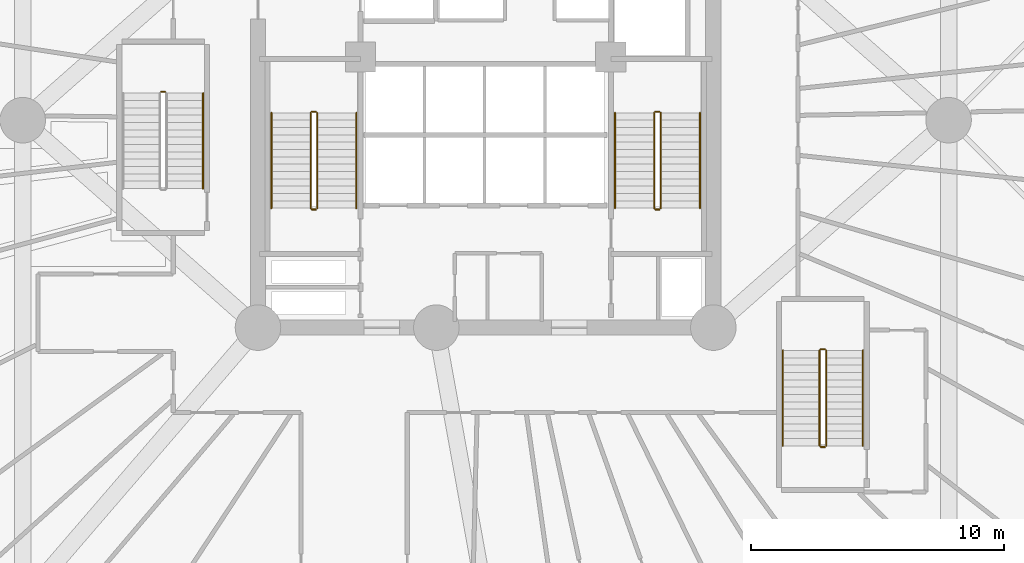
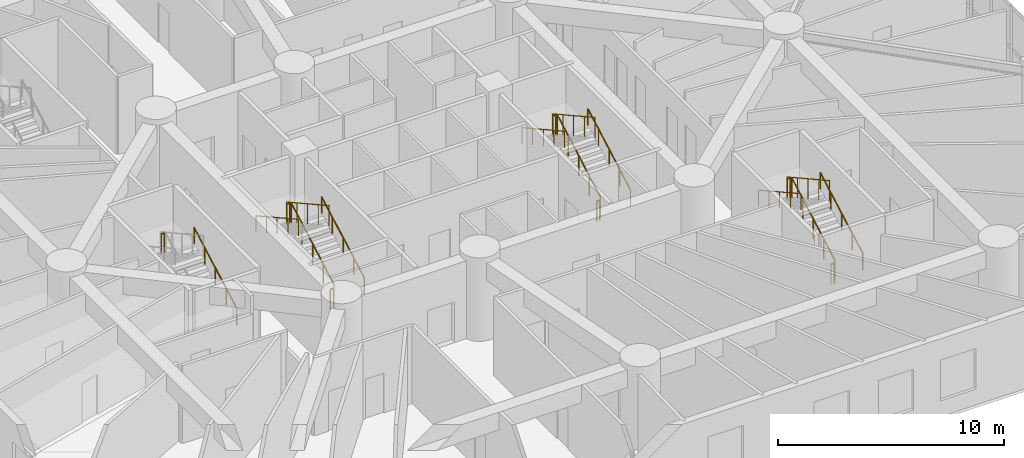
# One storey, part 23 of 26: 20 railings.
"""IFC4 building model written with IfcOpenShell, lengths in metres."""

import ifcopenshell
import ifcopenshell.guid

model = None  # the IFC model being written
_history = None  # IfcOwnerHistory: only IFC2X3 demands one
_inside = {}  # id of a spatial element -> (the spatial element, [elements in it])
_under = {}  # id of a project, library or spatial element -> (it, [spatial elements below it])
_declared = {}  # id of a project -> (the project, [libraries it declares])
_typed = {}  # id of a type object -> (the type object, [elements of that type])
_made_of = {}  # id of a material, layer set ... -> (it, [elements and type objects made of it])


def new_model(schema):
    """Start an empty IFC model of exactly this schema.

    Asked for "IFC4X3", IfcOpenShell would pick the latest addendum, in which some entities
    have other attributes; the version numbers below select the first issue.
    IFC2X3 requires an IfcOwnerHistory on every rooted entity: one is made here for all.
    """
    global model, _history
    if schema == "IFC4X3":
        model = ifcopenshell.file(schema_version=(4, 3, 0, 0))
    else:
        model = ifcopenshell.file(schema=schema)
    _inside.clear()
    _under.clear()
    _declared.clear()
    _typed.clear()
    _made_of.clear()
    _history = None
    if model.schema == "IFC2X3":
        org = make("IfcOrganization", Name="unknown")
        user = make(
            "IfcPersonAndOrganization",
            ThePerson=make("IfcPerson", FamilyName="unknown"),
            TheOrganization=org,
        )
        app = make(
            "IfcApplication",
            ApplicationDeveloper=org,
            Version="unknown",
            ApplicationFullName="unknown",
            ApplicationIdentifier="unknown",
        )
        _history = make(
            "IfcOwnerHistory",
            OwningUser=user,
            OwningApplication=app,
            ChangeAction="ADDED",
            CreationDate=0,
        )
    return model


def make(cls, **values):
    """One entity of the class cls with the attributes given. An attribute that is None is left unset."""
    return model.create_entity(
        cls, **{name: value for name, value in values.items() if value is not None}
    )


def rooted(cls, **values):
    """An entity with a GlobalId (a new one), such as an element, a storey or a relation."""
    return make(cls, GlobalId=ifcopenshell.guid.new(), OwnerHistory=_history, **values)


def si_unit(unit_type, name, prefix=None):
    """IfcSIUnit, for example si_unit("LENGTHUNIT", "METRE", prefix="MILLI")."""
    return make("IfcSIUnit", UnitType=unit_type, Prefix=prefix, Name=name)


def assignment(units):
    """IfcUnitAssignment: the units of a project."""
    return None if units is None else make("IfcUnitAssignment", Units=units)


def point(xyz):
    """IfcCartesianPoint."""
    return None if xyz is None else make("IfcCartesianPoint", Coordinates=xyz)


def direction(xyz):
    """IfcDirection."""
    return None if xyz is None else make("IfcDirection", DirectionRatios=xyz)


def frame(location, z_axis=None, x_axis=None):
    """IfcAxis2Placement3D, a coordinate frame: its origin and axes. An axis left out is left unset."""
    return make(
        "IfcAxis2Placement3D",
        Location=point(location),
        Axis=direction(z_axis),
        RefDirection=direction(x_axis),
    )


def frame_2d(location, x_axis=None):
    """IfcAxis2Placement2D, a coordinate frame in the plane: its origin and x axis."""
    return make(
        "IfcAxis2Placement2D", Location=point(location), RefDirection=direction(x_axis)
    )


def origin():
    """The frame at (0, 0, 0) with its axes left unset."""
    return frame((0.0, 0.0, 0.0))


def origin_2d():
    """The frame at (0, 0) in the plane with its x axis left unset."""
    return frame_2d((0.0, 0.0))


def place(relative_to, where):
    """IfcLocalPlacement: puts the frame where relative to a parent placement (None: the world)."""
    return make(
        "IfcLocalPlacement", PlacementRelTo=relative_to, RelativePlacement=where
    )


def context(
    kind, dimensions, precision=None, world=None, true_north=None, identifier=None
):
    """IfcGeometricRepresentationContext, for example the 3D "Model" context."""
    return make(
        "IfcGeometricRepresentationContext",
        ContextIdentifier=identifier,
        ContextType=kind,
        CoordinateSpaceDimension=dimensions,
        Precision=precision,
        WorldCoordinateSystem=world,
        TrueNorth=true_north,
    )


def subcontext(parent, identifier, kind, view, scale=None):
    """IfcGeometricRepresentationSubContext, for example "Body" below "Model"."""
    return make(
        "IfcGeometricRepresentationSubContext",
        ContextIdentifier=identifier,
        ContextType=kind,
        ParentContext=parent,
        TargetScale=scale,
        TargetView=view,
    )


def project(units=None, contexts=None):
    """IfcProject with its units and contexts."""
    return rooted(
        "IfcProject",
        Name="project",
        RepresentationContexts=contexts,
        UnitsInContext=assignment(units),
    )


def spatial(cls, under=None, at=None, **own):
    """A site, building, storey or space (cls), placed at a placement, below another one or the project."""
    s = rooted(cls, ObjectPlacement=at, **own)
    if under is not None:
        _under.setdefault(under.id(), (under, []))[1].append(s)
    return s


def profile(cls, at=None, kind="AREA", **sizes):
    """A parametric profile (cls). Its sizes go by their IFC names, for example OverallWidth=200.0."""
    return make(cls, ProfileType=kind, Position=at, **sizes)


def circle(**sizes):
    """IfcCircleProfileDef."""
    return profile("IfcCircleProfileDef", **sizes)


def extrude(swept, where, along, depth):
    """IfcExtrudedAreaSolid: the profile swept, set in the frame where, extruded along a direction by depth."""
    return make(
        "IfcExtrudedAreaSolid",
        SweptArea=swept,
        Position=where,
        ExtrudedDirection=direction(along),
        Depth=depth,
    )


def shape(context_of_items, identifier, shape_type, items):
    """IfcShapeRepresentation: the items that make up one representation, for example the "Body"."""
    return make(
        "IfcShapeRepresentation",
        ContextOfItems=context_of_items,
        RepresentationIdentifier=identifier,
        RepresentationType=shape_type,
        Items=items,
    )


def material(Name=None, Category=None):
    """IfcMaterial."""
    return make("IfcMaterial", Name=Name, Category=Category)


def layer(
    of_material, thickness, ventilated=None, Name=None, Category=None, Priority=None
):
    """IfcMaterialLayer: one layer of a wall or slab, of a material (None: an air gap)."""
    return make(
        "IfcMaterialLayer",
        Material=of_material,
        LayerThickness=thickness,
        IsVentilated=ventilated,
        Name=Name,
        Category=Category,
        Priority=Priority,
    )


def layer_set(layers, Name=None):
    """IfcMaterialLayerSet."""
    return make("IfcMaterialLayerSet", MaterialLayers=layers, LayerSetName=Name)


def made_of(thing, what):
    """Note that an element or type object is made of a material, layer set ...; save() writes the relation."""
    if what is not None:
        _made_of.setdefault(what.id(), (what, []))[1].append(thing)
    return thing


def type_object(cls, material=None, **own):
    """A type object (cls), such as IfcWallType, which elements share."""
    return made_of(rooted(cls, **own), material)


def element(
    cls,
    number,
    at=None,
    inside=None,
    cuts=None,
    type_object=None,
    material=None,
    context=None,
    identifier="Body",
    shape_type=None,
    held_by="IfcProductDefinitionShape",
    body=None,
    shapes=None,
    **own,
):
    """One element of the class cls, such as IfcWall. Its Tag is "e" and its number.

    at: its placement. inside: the storey or other place that contains it. cuts: it is an
    opening in that element (IfcRelVoidsElement). A single representation is given by context,
    identifier, shape_type and body (its items); several are given by shapes. held_by: the class
    of the entity that holds the representations. save() writes the other relations.
    """
    e = rooted(cls, Tag="e%d" % number, ObjectPlacement=at, **own)
    if body is not None:
        shapes = [shape(context, identifier, shape_type, body)]
    if shapes is not None:
        e.Representation = make(held_by, Representations=shapes)
    if inside is not None:
        _inside.setdefault(inside.id(), (inside, []))[1].append(e)
    if cuts is not None:
        rooted(
            "IfcRelVoidsElement", RelatingBuildingElement=cuts, RelatedOpeningElement=e
        )
    if type_object is not None:
        _typed.setdefault(type_object.id(), (type_object, []))[1].append(e)
    return made_of(e, material)


def aggregate(whole, parts):
    """IfcRelAggregates: a whole, such as a stair, and the parts it consists of."""
    return rooted("IfcRelAggregates", RelatingObject=whole, RelatedObjects=parts)


def save(model, path):
    """Write the relations noted so far, then the file.

    IfcRelAggregates (storeys below a building ...), IfcRelContainedInSpatialStructure (elements
    in a storey), IfcRelDefinesByType, IfcRelAssociatesMaterial and IfcRelDeclares: one each for
    every whole, place, type object, material and project.
    """
    for whole, parts in _under.values():
        aggregate(whole, parts)
    for where, things in _inside.values():
        rooted(
            "IfcRelContainedInSpatialStructure",
            RelatedElements=things,
            RelatingStructure=where,
        )
    for kind, things in _typed.values():
        rooted("IfcRelDefinesByType", RelatedObjects=things, RelatingType=kind)
    for what, things in _made_of.values():
        rooted("IfcRelAssociatesMaterial", RelatedObjects=things, RelatingMaterial=what)
    for by, libraries in _declared.values():
        rooted("IfcRelDeclares", RelatingContext=by, RelatedDefinitions=libraries)
    model.write(path)


model = new_model("IFC4")

# Units and contexts
model_context = context("Model", 3, precision=1e-05, world=origin(), true_north=direction((0.0, 1.0)))
body_context = subcontext(model_context, "Body", "Model", "MODEL_VIEW")
ifc_project = project(units=[si_unit("LENGTHUNIT", "METRE"), si_unit("AREAUNIT", "SQUARE_METRE"), si_unit("VOLUMEUNIT", "CUBIC_METRE"), si_unit("PLANEANGLEUNIT", "RADIAN"), si_unit("MASSUNIT", "GRAM", prefix="KILO")], contexts=[model_context])

# Site, building, storey
site_placement = place(None, origin())
site = spatial("IfcSite", under=ifc_project, at=site_placement, CompositionType="ELEMENT")
building_placement = place(site_placement, origin())
building = spatial("IfcBuilding", under=site, at=building_placement, Name="Karkom Vertical University and Central Library", CompositionType="ELEMENT")
storey_placement = place(building_placement, frame((0.0, 0.0, 4.5)))
storey = spatial("IfcBuildingStorey", under=building, at=storey_placement, Name="L01", CompositionType="ELEMENT", Elevation=4.5)

# Railings
ifc_material_1 = material(Name="Painted galvanised steel balustrade", Category="steel")
ifc_layer_1 = layer(ifc_material_1, 0.06005859375)
ifc_layer_set_1 = layer_set([ifc_layer_1], Name="Painted galvanised steel balustrade")
railing_type_1 = type_object("IfcRailingType", Name="INT-RL-GUARD1100", PredefinedType="GUARDRAIL", material=ifc_layer_set_1)
railing_1_placement = place(storey_placement, frame((21.840087890625, 23.02001953125, 0.16064453125)))
element("IfcRailing", 1, at=railing_1_placement, inside=storey, type_object=railing_type_1, Name="Level 01 ST-1 stair guard 1", PredefinedType="GUARDRAIL", context=body_context, shape_type="SweptSolid", body=[
    extrude(circle(Radius=0.02392578125, at=origin_2d()), frame((0.0, 0.0, 1.076171875), z_axis=(0.0, 0.874659101714, 0.484738543742), x_axis=(-1.0, 0.0, 0.0)), (0.0, 0.0, 1.0), 4.310302734375),
    extrude(circle(Radius=0.02099609375, at=origin_2d()), origin(), (0.0, 0.0, 1.0), 1.052001953125),
    extrude(circle(Radius=0.02099609375, at=origin_2d()), frame((0.0, 0.9423828125, 0.5224609375)), (0.0, 0.0, 1.0), 1.052001953125),
    extrude(circle(Radius=0.02099609375, at=origin_2d()), frame((0.0, 1.885009765625, 1.044677734375)), (0.0, 0.0, 1.0), 1.052001953125),
    extrude(circle(Radius=0.02099609375, at=origin_2d()), frame((0.0, 2.82763671875, 1.56689453125)), (0.0, 0.0, 1.0), 1.052001953125),
    extrude(circle(Radius=0.02099609375, at=origin_2d()), frame((0.0, 3.77001953125, 2.08935546875)), (0.0, 0.0, 1.0), 1.052001953125),
])
railing_2_placement = place(storey_placement, frame((21.7900390625, 26.840087890625, 2.25)))
element("IfcRailing", 2, at=railing_2_placement, inside=storey, type_object=railing_type_1, Name="Level 01 ST-1 stair guard 2", PredefinedType="GUARDRAIL", context=body_context, shape_type="SweptSolid", body=[
    extrude(circle(Radius=0.02392578125, at=origin_2d()), frame((0.0, 0.0, 1.076171875), z_axis=(-1.0, 0.0, 0.0), x_axis=(0.0, -1.0, 0.0)), (0.0, 0.0, 1.0), 0.16015625),
    extrude(circle(Radius=0.02099609375, at=origin_2d()), origin(), (0.0, 0.0, 1.0), 1.052001953125),
    extrude(circle(Radius=0.02099609375, at=origin_2d()), frame((-0.16015625, 0.0, 0.0)), (0.0, 0.0, 1.0), 1.052001953125),
])
railing_3_placement = place(storey_placement, frame((21.580078125, 26.7900390625, 2.41064453125)))
element("IfcRailing", 3, at=railing_3_placement, inside=storey, type_object=railing_type_1, Name="Level 01 ST-1 stair guard 3", PredefinedType="GUARDRAIL", context=body_context, shape_type="SweptSolid", body=[
    extrude(circle(Radius=0.02392578125, at=origin_2d()), frame((0.0, 0.0, 1.076171875), z_axis=(0.0, -0.874659101714, 0.484738543742), x_axis=(1.0, 0.0, 0.0)), (0.0, 0.0, 1.0), 4.310302734375),
    extrude(circle(Radius=0.02099609375, at=origin_2d()), origin(), (0.0, 0.0, 1.0), 1.052001953125),
    extrude(circle(Radius=0.02099609375, at=origin_2d()), frame((0.0, -0.9423828125, 0.5224609375)), (0.0, 0.0, 1.0), 1.052001953125),
    extrude(circle(Radius=0.02099609375, at=origin_2d()), frame((0.0, -1.885009765625, 1.044677734375)), (0.0, 0.0, 1.0), 1.052001953125),
    extrude(circle(Radius=0.02099609375, at=origin_2d()), frame((0.0, -2.82763671875, 1.56689453125)), (0.0, 0.0, 1.0), 1.052001953125),
    extrude(circle(Radius=0.02099609375, at=origin_2d()), frame((0.0, -3.77001953125, 2.08935546875)), (0.0, 0.0, 1.0), 1.052001953125),
])
railing_4_placement = place(storey_placement, frame((21.7900390625, 22.969970703125, 0.0)))
element("IfcRailing", 4, at=railing_4_placement, inside=storey, type_object=railing_type_1, Name="Level 01 ST-1 stair guard 4", PredefinedType="GUARDRAIL", context=body_context, shape_type="SweptSolid", body=[
    extrude(circle(Radius=0.02392578125, at=origin_2d()), frame((0.0, 0.0, 1.076171875), z_axis=(-1.0, 0.0, 0.0), x_axis=(0.0, -1.0, 0.0)), (0.0, 0.0, 1.0), 0.16015625),
    extrude(circle(Radius=0.02099609375, at=origin_2d()), origin(), (0.0, 0.0, 1.0), 1.052001953125),
    extrude(circle(Radius=0.02099609375, at=origin_2d()), frame((-0.16015625, 0.0, 0.0)), (0.0, 0.0, 1.0), 1.052001953125),
])
railing_5_placement = place(storey_placement, frame((35.419921875, 23.02001953125, 0.16064453125)))
element("IfcRailing", 5, at=railing_5_placement, inside=storey, type_object=railing_type_1, Name="Level 01 ST-2 stair guard 1", PredefinedType="GUARDRAIL", context=body_context, shape_type="SweptSolid", body=[
    extrude(circle(Radius=0.02392578125, at=origin_2d()), frame((0.0, 0.0, 1.076171875), z_axis=(0.0, 0.874659101714, 0.484738543742), x_axis=(-1.0, 0.0, 0.0)), (0.0, 0.0, 1.0), 4.310302734375),
    extrude(circle(Radius=0.02099609375, at=origin_2d()), origin(), (0.0, 0.0, 1.0), 1.052001953125),
    extrude(circle(Radius=0.02099609375, at=origin_2d()), frame((0.0, 0.9423828125, 0.5224609375)), (0.0, 0.0, 1.0), 1.052001953125),
    extrude(circle(Radius=0.02099609375, at=origin_2d()), frame((0.0, 1.885009765625, 1.044677734375)), (0.0, 0.0, 1.0), 1.052001953125),
    extrude(circle(Radius=0.02099609375, at=origin_2d()), frame((0.0, 2.82763671875, 1.56689453125)), (0.0, 0.0, 1.0), 1.052001953125),
    extrude(circle(Radius=0.02099609375, at=origin_2d()), frame((0.0, 3.77001953125, 2.08935546875)), (0.0, 0.0, 1.0), 1.052001953125),
])
railing_6_placement = place(storey_placement, frame((35.3701171875, 26.840087890625, 2.25)))
element("IfcRailing", 6, at=railing_6_placement, inside=storey, type_object=railing_type_1, Name="Level 01 ST-2 stair guard 2", PredefinedType="GUARDRAIL", context=body_context, shape_type="SweptSolid", body=[
    extrude(circle(Radius=0.02392578125, at=origin_2d()), frame((0.0, 0.0, 1.076171875), z_axis=(-1.0, 0.0, 0.0), x_axis=(0.0, -1.0, 0.0)), (0.0, 0.0, 1.0), 0.16015625),
    extrude(circle(Radius=0.02099609375, at=origin_2d()), origin(), (0.0, 0.0, 1.0), 1.052001953125),
    extrude(circle(Radius=0.02099609375, at=origin_2d()), frame((-0.16015625, 0.0, 0.0)), (0.0, 0.0, 1.0), 1.052001953125),
])
railing_7_placement = place(storey_placement, frame((35.159912109375, 26.7900390625, 2.41064453125)))
element("IfcRailing", 7, at=railing_7_placement, inside=storey, type_object=railing_type_1, Name="Level 01 ST-2 stair guard 3", PredefinedType="GUARDRAIL", context=body_context, shape_type="SweptSolid", body=[
    extrude(circle(Radius=0.02392578125, at=origin_2d()), frame((0.0, 0.0, 1.076171875), z_axis=(0.0, -0.874659101714, 0.484738543742), x_axis=(1.0, 0.0, 0.0)), (0.0, 0.0, 1.0), 4.310302734375),
    extrude(circle(Radius=0.02099609375, at=origin_2d()), origin(), (0.0, 0.0, 1.0), 1.052001953125),
    extrude(circle(Radius=0.02099609375, at=origin_2d()), frame((0.0, -0.9423828125, 0.5224609375)), (0.0, 0.0, 1.0), 1.052001953125),
    extrude(circle(Radius=0.02099609375, at=origin_2d()), frame((0.0, -1.885009765625, 1.044677734375)), (0.0, 0.0, 1.0), 1.052001953125),
    extrude(circle(Radius=0.02099609375, at=origin_2d()), frame((0.0, -2.82763671875, 1.56689453125)), (0.0, 0.0, 1.0), 1.052001953125),
    extrude(circle(Radius=0.02099609375, at=origin_2d()), frame((0.0, -3.77001953125, 2.08935546875)), (0.0, 0.0, 1.0), 1.052001953125),
])
for number, where, name in (
    (8, (35.3701171875, 22.969970703125, 0.0), "Level 01 ST-2 stair guard 4"),
    (9, (15.830078125, 27.6201171875, 2.25), "Level 01 ST-3 stair guard 2"),
):
    element("IfcRailing", number, at=place(storey_placement, frame(where)), inside=storey, type_object=railing_type_1, Name=name, PredefinedType="GUARDRAIL", context=body_context, shape_type="SweptSolid", body=[
        extrude(circle(Radius=0.02392578125, at=origin_2d()), frame((0.0, 0.0, 1.076171875), z_axis=(-1.0, 0.0, 0.0), x_axis=(0.0, -1.0, 0.0)), (0.0, 0.0, 1.0), 0.16015625),
        extrude(circle(Radius=0.02099609375, at=origin_2d()), origin(), (0.0, 0.0, 1.0), 1.052001953125),
        extrude(circle(Radius=0.02099609375, at=origin_2d()), frame((-0.16015625, 0.0, 0.0)), (0.0, 0.0, 1.0), 1.052001953125),
    ])
railing_8_placement = place(storey_placement, frame((41.9599609375, 13.6298828125, 0.16064453125)))
element("IfcRailing", 10, at=railing_8_placement, inside=storey, type_object=railing_type_1, Name="Level 01 POD-ST1 stair guard 1", PredefinedType="GUARDRAIL", context=body_context, shape_type="SweptSolid", body=[
    extrude(circle(Radius=0.02392578125, at=origin_2d()), frame((0.0, 0.0, 1.076171875), z_axis=(0.0, 0.874659101714, 0.484738543742), x_axis=(-1.0, 0.0, 0.0)), (0.0, 0.0, 1.0), 4.310302734375),
    extrude(circle(Radius=0.02099609375, at=origin_2d()), origin(), (0.0, 0.0, 1.0), 1.052001953125),
    extrude(circle(Radius=0.02099609375, at=origin_2d()), frame((0.0, 0.9423828125, 0.5224609375)), (0.0, 0.0, 1.0), 1.052001953125),
    extrude(circle(Radius=0.02099609375, at=origin_2d()), frame((0.0, 1.885009765625, 1.044677734375)), (0.0, 0.0, 1.0), 1.052001953125),
    extrude(circle(Radius=0.02099609375, at=origin_2d()), frame((0.0, 2.82763671875, 1.56689453125)), (0.0, 0.0, 1.0), 1.052001953125),
    extrude(circle(Radius=0.02099609375, at=origin_2d()), frame((0.0, 3.77001953125, 2.08935546875)), (0.0, 0.0, 1.0), 1.052001953125),
])
railing_9_placement = place(storey_placement, frame((41.909912109375, 17.449951171875, 2.25)))
element("IfcRailing", 11, at=railing_9_placement, inside=storey, type_object=railing_type_1, Name="Level 01 POD-ST1 stair guard 2", PredefinedType="GUARDRAIL", context=body_context, shape_type="SweptSolid", body=[
    extrude(circle(Radius=0.02392578125, at=origin_2d()), frame((0.0, 0.0, 1.076171875), z_axis=(-1.0, 0.0, 0.0), x_axis=(0.0, -1.0, 0.0)), (0.0, 0.0, 1.0), 0.159912109375),
    extrude(circle(Radius=0.02099609375, at=origin_2d()), origin(), (0.0, 0.0, 1.0), 1.052001953125),
    extrude(circle(Radius=0.02099609375, at=origin_2d()), frame((-0.159912109375, 0.0, 0.0)), (0.0, 0.0, 1.0), 1.052001953125),
])
railing_10_placement = place(storey_placement, frame((41.699951171875, 17.39990234375, 2.41064453125)))
element("IfcRailing", 12, at=railing_10_placement, inside=storey, type_object=railing_type_1, Name="Level 01 POD-ST1 stair guard 3", PredefinedType="GUARDRAIL", context=body_context, shape_type="SweptSolid", body=[
    extrude(circle(Radius=0.02392578125, at=origin_2d()), frame((0.0, 0.0, 1.076171875), z_axis=(0.0, -0.874659101714, 0.484738543742), x_axis=(1.0, 0.0, 0.0)), (0.0, 0.0, 1.0), 4.310302734375),
    extrude(circle(Radius=0.02099609375, at=origin_2d()), origin(), (0.0, 0.0, 1.0), 1.052001953125),
    extrude(circle(Radius=0.02099609375, at=origin_2d()), frame((0.0, -0.9423828125, 0.5224609375)), (0.0, 0.0, 1.0), 1.052001953125),
    extrude(circle(Radius=0.02099609375, at=origin_2d()), frame((0.0, -1.885009765625, 1.044677734375)), (0.0, 0.0, 1.0), 1.052001953125),
    extrude(circle(Radius=0.02099609375, at=origin_2d()), frame((0.0, -2.82763671875, 1.56689453125)), (0.0, 0.0, 1.0), 1.052001953125),
    extrude(circle(Radius=0.02099609375, at=origin_2d()), frame((0.0, -3.77001953125, 2.08935546875)), (0.0, 0.0, 1.0), 1.052001953125),
])
railing_11_placement = place(storey_placement, frame((41.909912109375, 13.580078125, 0.0)))
element("IfcRailing", 13, at=railing_11_placement, inside=storey, type_object=railing_type_1, Name="Level 01 POD-ST1 stair guard 4", PredefinedType="GUARDRAIL", context=body_context, shape_type="SweptSolid", body=[
    extrude(circle(Radius=0.02392578125, at=origin_2d()), frame((0.0, 0.0, 1.076171875), z_axis=(-1.0, 0.0, 0.0), x_axis=(0.0, -1.0, 0.0)), (0.0, 0.0, 1.0), 0.159912109375),
    extrude(circle(Radius=0.02099609375, at=origin_2d()), origin(), (0.0, 0.0, 1.0), 1.052001953125),
    extrude(circle(Radius=0.02099609375, at=origin_2d()), frame((-0.159912109375, 0.0, 0.0)), (0.0, 0.0, 1.0), 1.052001953125),
])
ifc_material_2 = material(Name="Brushed stainless-steel tubular handrail", Category="steel")
ifc_layer_2 = layer(ifc_material_2, 0.048095703125)
ifc_layer_set_2 = layer_set([ifc_layer_2], Name="Brushed stainless-steel tubular handrail")
railing_type_2 = type_object("IfcRailingType", Name="INT-RL-HAND920", PredefinedType="HANDRAIL", material=ifc_layer_set_2)
railing_12_placement = place(storey_placement, frame((23.389892578125, 23.02001953125, 0.16064453125)))
element("IfcRailing", 14, at=railing_12_placement, inside=storey, type_object=railing_type_2, Name="Level 01 ST-1 stair handrail 1", PredefinedType="HANDRAIL", context=body_context, shape_type="SweptSolid", body=[
    extrude(circle(Radius=0.02392578125, at=origin_2d()), frame((0.0, 0.0, 0.8759765625), z_axis=(0.0, 0.874659101714, 0.484738543742), x_axis=(-1.0, 0.0, 0.0)), (0.0, 0.0, 1.0), 4.310302734375),
    extrude(circle(Radius=0.02099609375, at=origin_2d()), origin(), (0.0, 0.0, 1.0), 0.851806640625),
    extrude(circle(Radius=0.02099609375, at=origin_2d()), frame((0.0, 0.9423828125, 0.5224609375)), (0.0, 0.0, 1.0), 0.851806640625),
    extrude(circle(Radius=0.02099609375, at=origin_2d()), frame((0.0, 1.885009765625, 1.044677734375)), (0.0, 0.0, 1.0), 0.851806640625),
    extrude(circle(Radius=0.02099609375, at=origin_2d()), frame((0.0, 2.82763671875, 1.56689453125)), (0.0, 0.0, 1.0), 0.851806640625),
    extrude(circle(Radius=0.02099609375, at=origin_2d()), frame((0.0, 3.77001953125, 2.08935546875)), (0.0, 0.0, 1.0), 0.851806640625),
])
railing_13_placement = place(storey_placement, frame((20.030029296875, 26.7900390625, 2.41064453125)))
element("IfcRailing", 15, at=railing_13_placement, inside=storey, type_object=railing_type_2, Name="Level 01 ST-1 stair handrail 2", PredefinedType="HANDRAIL", context=body_context, shape_type="SweptSolid", body=[
    extrude(circle(Radius=0.02392578125, at=origin_2d()), frame((0.0, 0.0, 0.8759765625), z_axis=(0.0, -0.874659101714, 0.484738543742), x_axis=(1.0, 0.0, 0.0)), (0.0, 0.0, 1.0), 4.310302734375),
    extrude(circle(Radius=0.02099609375, at=origin_2d()), origin(), (0.0, 0.0, 1.0), 0.851806640625),
    extrude(circle(Radius=0.02099609375, at=origin_2d()), frame((0.0, -0.9423828125, 0.5224609375)), (0.0, 0.0, 1.0), 0.851806640625),
    extrude(circle(Radius=0.02099609375, at=origin_2d()), frame((0.0, -1.885009765625, 1.044677734375)), (0.0, 0.0, 1.0), 0.851806640625),
    extrude(circle(Radius=0.02099609375, at=origin_2d()), frame((0.0, -2.82763671875, 1.56689453125)), (0.0, 0.0, 1.0), 0.851806640625),
    extrude(circle(Radius=0.02099609375, at=origin_2d()), frame((0.0, -3.77001953125, 2.08935546875)), (0.0, 0.0, 1.0), 0.851806640625),
])
railing_14_placement = place(storey_placement, frame((36.969970703125, 23.02001953125, 0.16064453125)))
element("IfcRailing", 16, at=railing_14_placement, inside=storey, type_object=railing_type_2, Name="Level 01 ST-2 stair handrail 1", PredefinedType="HANDRAIL", context=body_context, shape_type="SweptSolid", body=[
    extrude(circle(Radius=0.02392578125, at=origin_2d()), frame((0.0, 0.0, 0.8759765625), z_axis=(0.0, 0.874659101714, 0.484738543742), x_axis=(-1.0, 0.0, 0.0)), (0.0, 0.0, 1.0), 4.310302734375),
    extrude(circle(Radius=0.02099609375, at=origin_2d()), origin(), (0.0, 0.0, 1.0), 0.851806640625),
    extrude(circle(Radius=0.02099609375, at=origin_2d()), frame((0.0, 0.9423828125, 0.5224609375)), (0.0, 0.0, 1.0), 0.851806640625),
    extrude(circle(Radius=0.02099609375, at=origin_2d()), frame((0.0, 1.885009765625, 1.044677734375)), (0.0, 0.0, 1.0), 0.851806640625),
    extrude(circle(Radius=0.02099609375, at=origin_2d()), frame((0.0, 2.82763671875, 1.56689453125)), (0.0, 0.0, 1.0), 0.851806640625),
    extrude(circle(Radius=0.02099609375, at=origin_2d()), frame((0.0, 3.77001953125, 2.08935546875)), (0.0, 0.0, 1.0), 0.851806640625),
])
railing_15_placement = place(storey_placement, frame((33.610107421875, 26.7900390625, 2.41064453125)))
element("IfcRailing", 17, at=railing_15_placement, inside=storey, type_object=railing_type_2, Name="Level 01 ST-2 stair handrail 2", PredefinedType="HANDRAIL", context=body_context, shape_type="SweptSolid", body=[
    extrude(circle(Radius=0.02392578125, at=origin_2d()), frame((0.0, 0.0, 0.8759765625), z_axis=(0.0, -0.874659101714, 0.484738543742), x_axis=(1.0, 0.0, 0.0)), (0.0, 0.0, 1.0), 4.310302734375),
    extrude(circle(Radius=0.02099609375, at=origin_2d()), origin(), (0.0, 0.0, 1.0), 0.851806640625),
    extrude(circle(Radius=0.02099609375, at=origin_2d()), frame((0.0, -0.9423828125, 0.5224609375)), (0.0, 0.0, 1.0), 0.851806640625),
    extrude(circle(Radius=0.02099609375, at=origin_2d()), frame((0.0, -1.885009765625, 1.044677734375)), (0.0, 0.0, 1.0), 0.851806640625),
    extrude(circle(Radius=0.02099609375, at=origin_2d()), frame((0.0, -2.82763671875, 1.56689453125)), (0.0, 0.0, 1.0), 0.851806640625),
    extrude(circle(Radius=0.02099609375, at=origin_2d()), frame((0.0, -3.77001953125, 2.08935546875)), (0.0, 0.0, 1.0), 0.851806640625),
])
for number, where, name in (
    (18, (17.330078125, 23.800048828125, 0.16064453125), "Level 01 ST-3 stair handrail 1"),
    (19, (43.409912109375, 13.6298828125, 0.16064453125), "Level 01 POD-ST1 stair handrail 1"),
):
    element("IfcRailing", number, at=place(storey_placement, frame(where)), inside=storey, type_object=railing_type_2, Name=name, PredefinedType="HANDRAIL", context=body_context, shape_type="SweptSolid", body=[
        extrude(circle(Radius=0.02392578125, at=origin_2d()), frame((0.0, 0.0, 0.8759765625), z_axis=(0.0, 0.874659101714, 0.484738543742), x_axis=(-1.0, 0.0, 0.0)), (0.0, 0.0, 1.0), 4.310302734375),
        extrude(circle(Radius=0.02099609375, at=origin_2d()), origin(), (0.0, 0.0, 1.0), 0.851806640625),
        extrude(circle(Radius=0.02099609375, at=origin_2d()), frame((0.0, 0.9423828125, 0.5224609375)), (0.0, 0.0, 1.0), 0.851806640625),
        extrude(circle(Radius=0.02099609375, at=origin_2d()), frame((0.0, 1.885009765625, 1.044677734375)), (0.0, 0.0, 1.0), 0.851806640625),
        extrude(circle(Radius=0.02099609375, at=origin_2d()), frame((0.0, 2.82763671875, 1.56689453125)), (0.0, 0.0, 1.0), 0.851806640625),
        extrude(circle(Radius=0.02099609375, at=origin_2d()), frame((0.0, 3.77001953125, 2.08935546875)), (0.0, 0.0, 1.0), 0.851806640625),
    ])
railing_16_placement = place(storey_placement, frame((40.25, 17.39990234375, 2.41064453125)))
element("IfcRailing", 20, at=railing_16_placement, inside=storey, type_object=railing_type_2, Name="Level 01 POD-ST1 stair handrail 2", PredefinedType="HANDRAIL", context=body_context, shape_type="SweptSolid", body=[
    extrude(circle(Radius=0.02392578125, at=origin_2d()), frame((0.0, 0.0, 0.8759765625), z_axis=(0.0, -0.874659101714, 0.484738543742), x_axis=(1.0, 0.0, 0.0)), (0.0, 0.0, 1.0), 4.310302734375),
    extrude(circle(Radius=0.02099609375, at=origin_2d()), origin(), (0.0, 0.0, 1.0), 0.851806640625),
    extrude(circle(Radius=0.02099609375, at=origin_2d()), frame((0.0, -0.9423828125, 0.5224609375)), (0.0, 0.0, 1.0), 0.851806640625),
    extrude(circle(Radius=0.02099609375, at=origin_2d()), frame((0.0, -1.885009765625, 1.044677734375)), (0.0, 0.0, 1.0), 0.851806640625),
    extrude(circle(Radius=0.02099609375, at=origin_2d()), frame((0.0, -2.82763671875, 1.56689453125)), (0.0, 0.0, 1.0), 0.851806640625),
    extrude(circle(Radius=0.02099609375, at=origin_2d()), frame((0.0, -3.77001953125, 2.08935546875)), (0.0, 0.0, 1.0), 0.851806640625),
])

save(model, "model.ifc")
